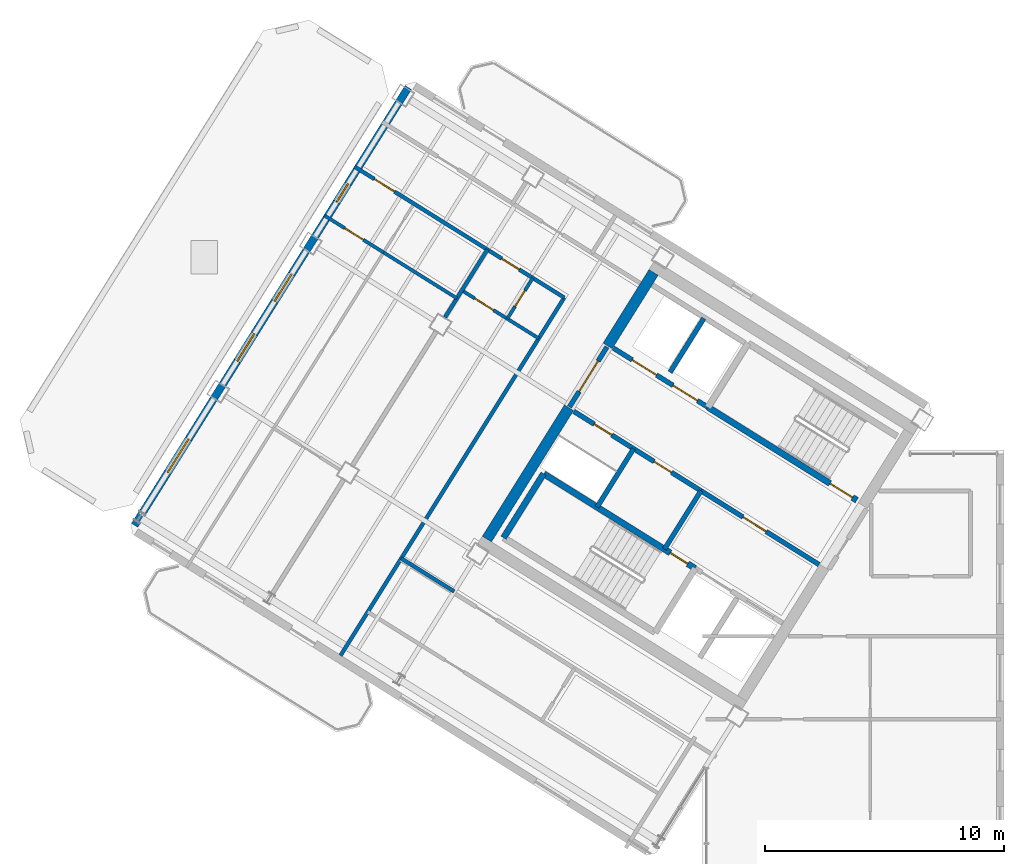
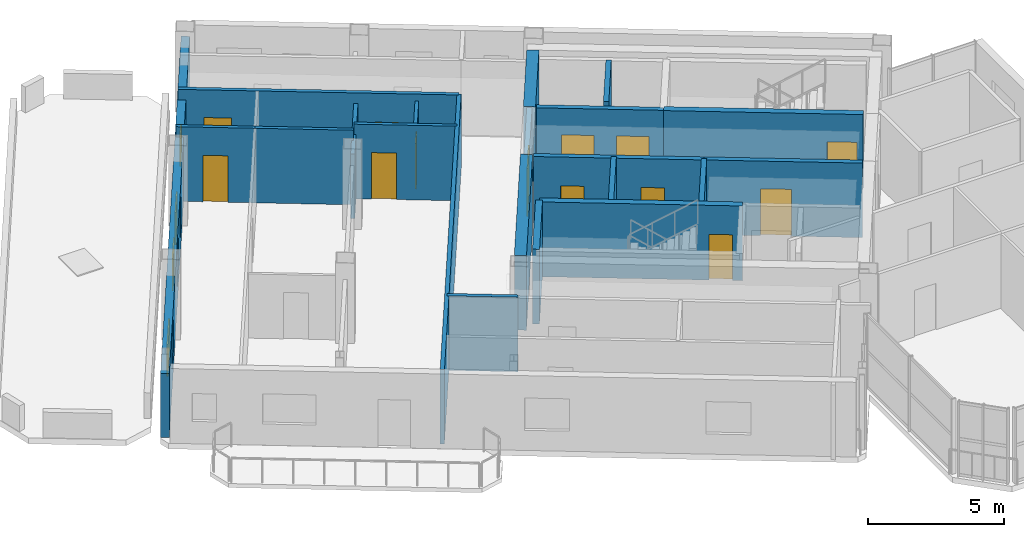
# One storey, part 8 of 12: 21 walls, 13 doors, 4 windows, 17 openings.
"""IFC4 building model written with IfcOpenShell, lengths in metres."""

from ifc_helpers import new_model, si_unit, direction, frame, frame_2d, origin, place, context, subcontext, project, spatial, rectangle, extrude, source, transform, mapped, material, layer, layer_set, type_object, element, fill, save


model = new_model("IFC4")

# Units and contexts
model_context = context("Model", 3, precision=1e-05, world=origin(), true_north=direction((0.0, 1.0)))
body_context = subcontext(model_context, "Body", "Model", "MODEL_VIEW")
ifc_project = project(units=[si_unit("LENGTHUNIT", "METRE"), si_unit("AREAUNIT", "SQUARE_METRE"), si_unit("VOLUMEUNIT", "CUBIC_METRE"), si_unit("PLANEANGLEUNIT", "RADIAN"), si_unit("MASSUNIT", "GRAM", prefix="KILO")], contexts=[model_context])

# Site, building, storey
site_placement = place(None, origin())
site = spatial("IfcSite", under=ifc_project, at=site_placement, CompositionType="ELEMENT")
building_placement = place(site_placement, origin())
building = spatial("IfcBuilding", under=site, at=building_placement, Name="Tlacorven Tower", CompositionType="ELEMENT")
storey_placement = place(building_placement, frame((0.0, 0.0, 280.800048828125)))
storey = spatial("IfcBuildingStorey", under=building, at=storey_placement, Name="L71", CompositionType="ELEMENT", Elevation=280.800048828125)

# Walls
ifc_material_1 = material(Name="Concrete C50/60", Category="concrete")
ifc_layer_1 = layer(ifc_material_1, 0.449951171875)
ifc_layer_set_1 = layer_set([ifc_layer_1], Name="Concrete C50/60")
wall_type_1 = type_object("IfcWallType", Name="WL-COR-450", PredefinedType="SHEAR", material=ifc_layer_set_1)
wall_1_placement = place(storey_placement, frame((29.543701171875, 30.636474609375, 0.0), z_axis=(0.0, 0.0, 1.0), x_axis=(-0.529902075036, -0.848058836916, 0.0)))
element("IfcWall", 1, at=wall_1_placement, inside=storey, type_object=wall_type_1, Name="L71 W core end wall E2.1", PredefinedType="SHEAR", context=body_context, shape_type="SweptSolid", body=[
    extrude(rectangle(XDim=3.625, YDim=0.449951171875, at=frame_2d((1.8125, 0.0))), origin(), (0.0, 0.0, 1.0), 3.349853515625),
])
wall_2_placement = place(storey_placement, frame((26.006591796875, 24.975830078125, 0.0), z_axis=(0.0, 0.0, 1.0), x_axis=(-0.529931155655, -0.848040665456, 0.0)))
element("IfcWall", 2, at=wall_2_placement, inside=storey, type_object=wall_type_1, Name="L71 W core end wall E2.2", PredefinedType="SHEAR", context=body_context, shape_type="SweptSolid", body=[
    extrude(rectangle(XDim=6.47509765625, YDim=0.449951171875, at=frame_2d((3.237548828125, 0.0))), origin(), (0.0, 0.0, 1.0), 3.349853515625),
])
ifc_material_2 = material(Name="Gypsum plasterboard acoustic partition", Category="gypsum")
ifc_layer_2 = layer(ifc_material_2, 0.159912109375)
ifc_layer_set_2 = layer_set([ifc_layer_2], Name="Gypsum plasterboard acoustic partition")
wall_type_2 = type_object("IfcWallType", Name="WL-DEM-160", PredefinedType="PARTITIONING", material=ifc_layer_set_2)
wall_3_placement = place(storey_placement, frame((21.20556640625, 17.29248046875, 0.0), z_axis=(0.0, 0.0, 1.0), x_axis=(-0.848050851465, 0.529914854792, 0.0)))
element("IfcWall", 3, at=wall_3_placement, inside=storey, type_object=wall_type_2, Name="L71 partition 20", PredefinedType="PARTITIONING", context=body_context, shape_type="SweptSolid", body=[
    extrude(rectangle(XDim=2.60986328125, YDim=0.159912109375, at=frame_2d((1.304931640625, 0.0))), origin(), (0.0, 0.0, 1.0), 3.33984375),
])
wall_4_placement = place(storey_placement, frame((25.806884765625, 29.58154296875, 0.0), z_axis=(0.0, 0.0, 1.0), x_axis=(-0.529918119251, -0.84804881162, 0.0)))
element("IfcWall", 4, at=wall_4_placement, inside=storey, type_object=wall_type_2, Name="L71 partition 22", PredefinedType="PARTITIONING", context=body_context, shape_type="SweptSolid", body=[
    extrude(rectangle(XDim=17.64990234375, YDim=0.159912109375, at=frame_2d((8.824951171875, 0.0))), origin(), (0.0, 0.0, 1.0), 3.33984375),
])

# Wall, openings, doors
wall_5_placement = place(storey_placement, frame((25.806884765625, 29.58154296875, 0.0), z_axis=(0.0, 0.0, 1.0), x_axis=(-0.848060702647, 0.529899089097, 0.0)))
wall_5 = element("IfcWall", 5, at=wall_5_placement, inside=storey, type_object=wall_type_2, Name="L71 Wing W Corridor North Wall", PredefinedType="PARTITIONING", context=body_context, shape_type="SweptSolid", body=[
    extrude(rectangle(XDim=10.330078125, YDim=0.159912109375, at=frame_2d((5.1650390625, 0.0))), origin(), (0.0, 0.0, 1.0), 3.33984375),
])
opening_1_placement = place(wall_5_placement, frame((2.219970703125, 0.0, 0.0)))
opening_1 = element("IfcOpeningElement", 6, at=opening_1_placement, cuts=wall_5, Name="Opening D19", PredefinedType="OPENING", context=body_context, shape_type="SweptSolid", body=[
    extrude(rectangle(XDim=0.860107421875, YDim=2.050048828125, at=frame_2d((0.43017578125, 1.02490234375))), frame((0.0, 0.08984375, 0.0), z_axis=(0.0, -1.0, 0.0), x_axis=(1.0, 0.0, 0.0)), (0.0, 0.0, 1.0), 0.179931640625),
])
opening_2_placement = place(wall_5_placement, frame((8.360107421875, 0.0, 0.0)))
opening_2 = element("IfcOpeningElement", 7, at=opening_2_placement, cuts=wall_5, Name="Opening D11", PredefinedType="OPENING", context=body_context, shape_type="SweptSolid", body=[
    extrude(rectangle(XDim=1.0, YDim=2.10009765625, at=frame_2d((0.5, 1.050048828125))), frame((0.0, 0.08984375, 0.0), z_axis=(0.0, -1.0, 0.0), x_axis=(1.0, 0.0, 0.0)), (0.0, 0.0, 1.0), 0.179931640625),
])
ifc_material_3 = material(Name="Fire-rated steel door assembly", Category="steel")
door_type_1 = type_object("IfcDoorType", Name="DR-RSR-FD60-0860", OperationType="NOTDEFINED", PredefinedType="DOOR", material=ifc_material_3)
shared_shape_1 = source(origin(), body_context, "Body", "SweptSolid", [
    extrude(rectangle(XDim=0.860107421875, YDim=2.050048828125, at=frame_2d((0.43017578125, 1.02490234375))), frame((0.0, 0.02490234375, 0.0), z_axis=(0.0, -1.0, 0.0), x_axis=(1.0, 0.0, 0.0)), (0.0, 0.0, 1.0), 0.050048828125),
])
door_1_placement = place(opening_1_placement, origin())
door_1 = element("IfcDoor", 8, at=door_1_placement, inside=storey, type_object=door_type_1, Name="L71 door 011", OperationType="SINGLE_SWING_RIGHT", OverallHeight=2.050048828125, OverallWidth=0.860107421875, PredefinedType="DOOR", context=body_context, shape_type="MappedRepresentation", body=[
    mapped(shared_shape_1, transform((0.0, 0.0, 0.0), scale=1.0)),
])
fill(opening_1, door_1)
door_type_2 = type_object("IfcDoorType", Name="DR-FLT-FD60-1000", OperationType="NOTDEFINED", PredefinedType="DOOR", material=ifc_material_3)
shared_shape_2 = source(origin(), body_context, "Body", "SweptSolid", [
    extrude(rectangle(XDim=1.0, YDim=2.10009765625, at=frame_2d((0.5, 1.050048828125))), frame((0.0, 0.02490234375, 0.0), z_axis=(0.0, -1.0, 0.0), x_axis=(1.0, 0.0, 0.0)), (0.0, 0.0, 1.0), 0.050048828125),
])
door_2_placement = place(opening_2_placement, origin())
door_2 = element("IfcDoor", 9, at=door_2_placement, inside=storey, type_object=door_type_2, Name="L71 door 015", OperationType="SINGLE_SWING_RIGHT", OverallHeight=2.10009765625, OverallWidth=1.0, PredefinedType="DOOR", context=body_context, shape_type="MappedRepresentation", body=[
    mapped(shared_shape_2, transform((0.0, 0.0, 0.0), scale=1.0)),
])
fill(opening_2, door_2)

# Wall
wall_6_placement = place(storey_placement, frame((22.5927734375, 31.58984375, 0.0), z_axis=(0.0, 0.0, 1.0), x_axis=(-0.529900320499, -0.848059933221, 0.0)))
element("IfcWall", 10, at=wall_6_placement, inside=storey, type_object=wall_type_2, Name="L71 WN Demising Wall 1", PredefinedType="PARTITIONING", context=body_context, shape_type="SweptSolid", body=[
    extrude(rectangle(XDim=3.337890625, YDim=0.159912109375, at=frame_2d((1.6689453125, 0.0))), origin(), (0.0, 0.0, 1.0), 2.875),
])

# Wall, openings, windows
ifc_material_4 = material(Name="Precast concrete C45/55", Category="concrete")
ifc_layer_3 = layer(ifc_material_4, 0.320068359375)
ifc_layer_set_3 = layer_set([ifc_layer_3], Name="Precast concrete C45/55")
wall_type_3 = type_object("IfcWallType", Name="WL-EXT-320", PredefinedType="STANDARD", material=ifc_layer_set_3)
wall_7_placement = place(storey_placement, frame((7.842041015625, 20.06103515625, 0.0), z_axis=(0.0, 0.0, 1.0), x_axis=(0.529915577903, 0.84805039962, 0.0)))
wall_7 = element("IfcWall", 11, at=wall_7_placement, inside=storey, type_object=wall_type_3, Name="L71 Masonry-Frame Recessed Facade Wall 3", PredefinedType="STANDARD", context=body_context, shape_type="SweptSolid", body=[
    extrude(rectangle(XDim=21.58740234375, YDim=0.320068359375, at=frame_2d((10.793701171875, 0.0))), origin(), (0.0, 0.0, 1.0), 2.875),
])
opening_3_placement = place(wall_7_placement, frame((2.606201171875, 0.0, 0.89990234375)))
opening_3 = element("IfcOpeningElement", 12, at=opening_3_placement, cuts=wall_7, Name="Opening WN07", PredefinedType="OPENING", context=body_context, shape_type="SweptSolid", body=[
    extrude(rectangle(XDim=1.64990234375, YDim=1.449951171875, at=frame_2d((0.824951171875, 0.72509765625))), frame((0.0, 0.169921875, 0.0), z_axis=(0.0, -1.0, 0.0), x_axis=(1.0, 0.0, 0.0)), (0.0, 0.0, 1.0), 0.340087890625),
])
opening_4_placement = place(wall_7_placement, frame((8.09375, 0.0, 0.89990234375)))
opening_4 = element("IfcOpeningElement", 13, at=opening_4_placement, cuts=wall_7, Name="Opening WN08", PredefinedType="OPENING", context=body_context, shape_type="SweptSolid", body=[
    extrude(rectangle(XDim=1.35009765625, YDim=1.449951171875, at=frame_2d((0.675048828125, 0.72509765625))), frame((0.0, 0.169921875, 0.0), z_axis=(0.0, -1.0, 0.0), x_axis=(1.0, 0.0, 0.0)), (0.0, 0.0, 1.0), 0.340087890625),
])
opening_5_placement = place(wall_7_placement, frame((11.043701171875, 0.0, 0.89990234375)))
opening_5 = element("IfcOpeningElement", 14, at=opening_5_placement, cuts=wall_7, Name="Opening WN08", PredefinedType="OPENING", context=body_context, shape_type="SweptSolid", body=[
    extrude(rectangle(XDim=1.35009765625, YDim=1.449951171875, at=frame_2d((0.675048828125, 0.72509765625))), frame((0.0, 0.169921875, 0.0), z_axis=(0.0, -1.0, 0.0), x_axis=(1.0, 0.0, 0.0)), (0.0, 0.0, 1.0), 0.340087890625),
])
opening_6_placement = place(wall_7_placement, frame((15.938720703125, 0.0, 1.0)))
opening_6 = element("IfcOpeningElement", 15, at=opening_6_placement, cuts=wall_7, Name="Opening WN05", PredefinedType="OPENING", context=body_context, shape_type="SweptSolid", body=[
    extrude(rectangle(XDim=0.89990234375, YDim=1.25, at=frame_2d((0.449951171875, 0.625))), frame((0.0, 0.169921875, 0.0), z_axis=(0.0, -1.0, 0.0), x_axis=(1.0, 0.0, 0.0)), (0.0, 0.0, 1.0), 0.340087890625),
])
ifc_material_5 = material(Name="Dark solar low-E double glazing in anodised aluminium frame", Category="aluminium")
window_type_1 = type_object("IfcWindowType", Name="WN-APT-0900X1350", PartitioningType="SINGLE_PANEL", PredefinedType="WINDOW", material=ifc_material_5)
shared_shape_3 = source(origin(), body_context, "Body", "SweptSolid", [
    extrude(rectangle(XDim=0.89990234375, YDim=1.25, at=frame_2d((0.449951171875, 0.625))), frame((0.0, 0.030029296875, 0.0), z_axis=(0.0, -1.0, 0.0), x_axis=(1.0, 0.0, 0.0)), (0.0, 0.0, 1.0), 0.06005859375),
])
window_1_placement = place(opening_6_placement, origin())
window_1 = element("IfcWindow", 16, at=window_1_placement, inside=storey, type_object=window_type_1, Name="L71 Recessed Masonry-Frame Window L71-03.4", OverallHeight=1.25, OverallWidth=0.89990234375, PartitioningType="SINGLE_PANEL", PredefinedType="WINDOW", context=body_context, shape_type="MappedRepresentation", body=[
    mapped(shared_shape_3, transform((0.0, 0.0, 0.0), scale=1.0)),
])
fill(opening_6, window_1)
window_type_2 = type_object("IfcWindowType", Name="WN-APT-1650X1600", PartitioningType="SINGLE_PANEL", PredefinedType="WINDOW", material=ifc_material_5)
shared_shape_4 = source(origin(), body_context, "Body", "SweptSolid", [
    extrude(rectangle(XDim=1.64990234375, YDim=1.449951171875, at=frame_2d((0.824951171875, 0.72509765625))), frame((0.0, 0.030029296875, 0.0), z_axis=(0.0, -1.0, 0.0), x_axis=(1.0, 0.0, 0.0)), (0.0, 0.0, 1.0), 0.06005859375),
])
window_2_placement = place(opening_3_placement, origin())
window_2 = element("IfcWindow", 17, at=window_2_placement, inside=storey, type_object=window_type_2, Name="L71 Recessed Masonry-Frame Window L71-03.1", OverallHeight=1.449951171875, OverallWidth=1.64990234375, PartitioningType="SINGLE_PANEL", PredefinedType="WINDOW", context=body_context, shape_type="MappedRepresentation", body=[
    mapped(shared_shape_4, transform((0.0, 0.0, 0.0), scale=1.0)),
])
fill(opening_3, window_2)
window_type_3 = type_object("IfcWindowType", Name="WN-APT-1350X1550", PartitioningType="SINGLE_PANEL", PredefinedType="WINDOW", material=ifc_material_5)
shared_shape_5 = source(origin(), body_context, "Body", "SweptSolid", [
    extrude(rectangle(XDim=1.35009765625, YDim=1.449951171875, at=frame_2d((0.675048828125, 0.72509765625))), frame((0.0, 0.030029296875, 0.0), z_axis=(0.0, -1.0, 0.0), x_axis=(1.0, 0.0, 0.0)), (0.0, 0.0, 1.0), 0.06005859375),
])
window_3_placement = place(opening_4_placement, origin())
window_3 = element("IfcWindow", 18, at=window_3_placement, inside=storey, type_object=window_type_3, Name="L71 Recessed Masonry-Frame Window L71-03.2", OverallHeight=1.449951171875, OverallWidth=1.35009765625, PartitioningType="SINGLE_PANEL", PredefinedType="WINDOW", context=body_context, shape_type="MappedRepresentation", body=[
    mapped(shared_shape_5, transform((0.0, 0.0, 0.0), scale=1.0)),
])
fill(opening_4, window_3)
window_4_placement = place(opening_5_placement, origin())
window_4 = element("IfcWindow", 19, at=window_4_placement, inside=storey, type_object=window_type_3, Name="L71 Recessed Masonry-Frame Window L71-03.3", OverallHeight=1.449951171875, OverallWidth=1.35009765625, PartitioningType="SINGLE_PANEL", PredefinedType="WINDOW", context=body_context, shape_type="MappedRepresentation", body=[
    mapped(shared_shape_5, transform((0.0, 0.0, 0.0), scale=1.0)),
])
fill(opening_5, window_4)

# Wall, opening, door
ifc_material_6 = material(Name="Moisture-resistant gypsum plumbing wall", Category="gypsum")
ifc_layer_4 = layer(ifc_material_6, 0.139892578125)
ifc_layer_set_4 = layer_set([ifc_layer_4], Name="Moisture-resistant gypsum plumbing wall")
wall_type_4 = type_object("IfcWallType", Name="WL-PLM-140", PredefinedType="PLUMBINGWALL", material=ifc_layer_set_4)
wall_8_placement = place(storey_placement, frame((24.74169921875, 27.876953125, 0.0), z_axis=(0.0, 0.0, 1.0), x_axis=(-0.848059820872, 0.529900500304, 0.0)))
wall_8 = element("IfcWall", 20, at=wall_8_placement, inside=storey, type_object=wall_type_4, Name="L71 partition 26", PredefinedType="PLUMBINGWALL", context=body_context, shape_type="SweptSolid", body=[
    extrude(rectangle(XDim=3.7900390625, YDim=0.139892578125, at=frame_2d((1.89501953125, 0.0))), origin(), (0.0, 0.0, 1.0), 3.33984375),
])
opening_7_placement = place(wall_8_placement, frame((2.22998046875, 0.0, 0.0)))
opening_7 = element("IfcOpeningElement", 21, at=opening_7_placement, cuts=wall_8, Name="Opening D12", PredefinedType="OPENING", context=body_context, shape_type="SweptSolid", body=[
    extrude(rectangle(XDim=0.919921875, YDim=2.080078125, at=frame_2d((0.4599609375, 1.0400390625))), frame((0.0, 0.080078125, 0.0), z_axis=(0.0, -1.0, 0.0), x_axis=(1.0, 0.0, 0.0)), (0.0, 0.0, 1.0), 0.159912109375),
])
ifc_material_7 = material(Name="Powder-coated aluminium and timber door", Category="wood")
door_type_3 = type_object("IfcDoorType", Name="DR-INT-ROOM-0920", OperationType="NOTDEFINED", PredefinedType="DOOR", material=ifc_material_7)
shared_shape_6 = source(origin(), body_context, "Body", "SweptSolid", [
    extrude(rectangle(XDim=0.919921875, YDim=2.080078125, at=frame_2d((0.4599609375, 1.0400390625))), frame((0.0, 0.02490234375, 0.0), z_axis=(0.0, -1.0, 0.0), x_axis=(1.0, 0.0, 0.0)), (0.0, 0.0, 1.0), 0.050048828125),
])
door_3_placement = place(opening_7_placement, origin())
door_3 = element("IfcDoor", 22, at=door_3_placement, inside=storey, type_object=door_type_3, Name="L71 door 012", OperationType="SINGLE_SWING_LEFT", OverallHeight=2.080078125, OverallWidth=0.919921875, PredefinedType="DOOR", context=body_context, shape_type="MappedRepresentation", body=[
    mapped(shared_shape_6, transform((0.0, 0.0, 0.0), scale=1.0)),
])
fill(opening_7, door_3)

wall_9_placement = place(storey_placement, frame((24.492431640625, 30.40283203125, 0.0), z_axis=(0.0, 0.0, 1.0), x_axis=(-0.529933431478, -0.848039243315, 0.0)))
wall_9 = element("IfcWall", 23, at=wall_9_placement, inside=storey, type_object=wall_type_4, Name="L71 partition 27", PredefinedType="PLUMBINGWALL", context=body_context, shape_type="SweptSolid", body=[
    extrude(rectangle(XDim=2.010009765625, YDim=0.139892578125, at=frame_2d((1.0048828125, 0.0))), origin(), (0.0, 0.0, 1.0), 3.02490234375),
])
opening_8_placement = place(wall_9_placement, frame((0.614990234375, 0.0, 0.0)))
opening_8 = element("IfcOpeningElement", 24, at=opening_8_placement, cuts=wall_9, Name="Opening D22", PredefinedType="OPENING", context=body_context, shape_type="SweptSolid", body=[
    extrude(rectangle(XDim=0.780029296875, YDim=2.050048828125, at=frame_2d((0.39013671875, 1.02490234375))), frame((0.0, 0.080078125, 0.0), z_axis=(0.0, -1.0, 0.0), x_axis=(1.0, 0.0, 0.0)), (0.0, 0.0, 1.0), 0.159912109375),
])
door_type_4 = type_object("IfcDoorType", Name="DR-INT-WET-0780", OperationType="NOTDEFINED", PredefinedType="DOOR", material=ifc_material_7)
shared_shape_7 = source(origin(), body_context, "Body", "SweptSolid", [
    extrude(rectangle(XDim=0.780029296875, YDim=2.050048828125, at=frame_2d((0.39013671875, 1.02490234375))), frame((0.0, 0.02490234375, 0.0), z_axis=(0.0, -1.0, 0.0), x_axis=(1.0, 0.0, 0.0)), (0.0, 0.0, 1.0), 0.050048828125),
])
door_4_placement = place(opening_8_placement, origin())
door_4 = element("IfcDoor", 25, at=door_4_placement, inside=storey, type_object=door_type_4, Name="L71 door 013", OperationType="SINGLE_SWING_RIGHT", OverallHeight=2.050048828125, OverallWidth=0.780029296875, PredefinedType="DOOR", context=body_context, shape_type="MappedRepresentation", body=[
    mapped(shared_shape_7, transform((0.0, 0.0, 0.0), scale=1.0)),
])
fill(opening_8, door_4)

wall_10_placement = place(storey_placement, frame((18.2509765625, 31.472900390625, 0.0), z_axis=(0.0, 0.0, 1.0), x_axis=(-0.848059786386, 0.529900555496, 0.0)))
wall_10 = element("IfcWall", 26, at=wall_10_placement, inside=storey, type_object=wall_type_4, Name="L71 partition 30", PredefinedType="PLUMBINGWALL", context=body_context, shape_type="SweptSolid", body=[
    extrude(rectangle(XDim=2.89990234375, YDim=0.139892578125, at=frame_2d((1.449951171875, 0.0))), origin(), (0.0, 0.0, 1.0), 3.33984375),
])
opening_9_placement = place(wall_10_placement, frame((0.989990234375, 0.0, 0.0)))
opening_9 = element("IfcOpeningElement", 27, at=opening_9_placement, cuts=wall_10, Name="Opening D12", PredefinedType="OPENING", context=body_context, shape_type="SweptSolid", body=[
    extrude(rectangle(XDim=0.919921875, YDim=2.080078125, at=frame_2d((0.4599609375, 1.0400390625))), frame((0.0, 0.080078125, 0.0), z_axis=(0.0, -1.0, 0.0), x_axis=(1.0, 0.0, 0.0)), (0.0, 0.0, 1.0), 0.159912109375),
])
door_5_placement = place(opening_9_placement, origin())
door_5 = element("IfcDoor", 28, at=door_5_placement, inside=storey, type_object=door_type_3, Name="L71 door 016", OperationType="SINGLE_SWING_LEFT", OverallHeight=2.080078125, OverallWidth=0.919921875, PredefinedType="DOOR", context=body_context, shape_type="MappedRepresentation", body=[
    mapped(shared_shape_6, transform((0.0, 0.0, 0.0), scale=1.0)),
])
fill(opening_9, door_5)

# Wall
wall_11_placement = place(storey_placement, frame((21.32080078125, 29.554443359375, 0.0), z_axis=(0.0, 0.0, 1.0), x_axis=(-0.848021036626, 0.529962566074, 0.0)))
element("IfcWall", 29, at=wall_11_placement, inside=storey, type_object=wall_type_4, Name="L71 partition 31", PredefinedType="PLUMBINGWALL", context=body_context, shape_type="SweptSolid", body=[
    extrude(rectangle(XDim=3.619873046875, YDim=0.139892578125, at=frame_2d((1.81005859375, 0.0))), origin(), (0.0, 0.0, 1.0), 3.33984375),
])

# Wall, opening, door
ifc_material_8 = material(Name="Concrete C40/50", Category="concrete")
ifc_layer_5 = layer(ifc_material_8, 0.199951171875)
ifc_layer_set_5 = layer_set([ifc_layer_5], Name="Concrete C40/50")
wall_type_5 = type_object("IfcWallType", Name="WL-SHF-200", PredefinedType="STANDARD", material=ifc_layer_set_5)
wall_12_placement = place(storey_placement, frame((36.459228515625, 18.420654296875, 0.0), z_axis=(0.0, 0.0, 1.0), x_axis=(-0.848059591691, 0.529900867089, 0.0)))
wall_12 = element("IfcWall", 30, at=wall_12_placement, inside=storey, type_object=wall_type_5, Name="L71 Core W Smoke Lobby Wall", PredefinedType="STANDARD", context=body_context, shape_type="SweptSolid", body=[
    extrude(rectangle(XDim=5.818115234375, YDim=0.199951171875, at=frame_2d((2.9091796875, 0.0))), origin(), (0.0, 0.0, 1.0), 3.33984375),
])
opening_10_placement = place(wall_12_placement, frame((2.597900390625, 0.0, 0.0)))
opening_10 = element("IfcOpeningElement", 31, at=opening_10_placement, cuts=wall_12, Name="Opening D09", PredefinedType="OPENING", context=body_context, shape_type="SweptSolid", body=[
    extrude(rectangle(XDim=1.14990234375, YDim=2.10009765625, at=frame_2d((0.574951171875, 1.050048828125))), frame((0.0, 0.10986328125, 0.0), z_axis=(0.0, -1.0, 0.0), x_axis=(1.0, 0.0, 0.0)), (0.0, 0.0, 1.0), 0.219970703125),
])
door_type_5 = type_object("IfcDoorType", Name="DR-FFL-FD60-1150", OperationType="NOTDEFINED", PredefinedType="DOOR", material=ifc_material_3)
shared_shape_8 = source(origin(), body_context, "Body", "SweptSolid", [
    extrude(rectangle(XDim=1.14990234375, YDim=2.10009765625, at=frame_2d((0.574951171875, 1.050048828125))), frame((0.0, 0.02490234375, 0.0), z_axis=(0.0, -1.0, 0.0), x_axis=(1.0, 0.0, 0.0)), (0.0, 0.0, 1.0), 0.050048828125),
])
door_6_placement = place(opening_10_placement, origin())
door_6 = element("IfcDoor", 32, at=door_6_placement, inside=storey, type_object=door_type_5, Name="L71 Firefighting Lobby W Fire Door", OperationType="SINGLE_SWING_LEFT", OverallHeight=2.10009765625, OverallWidth=1.14990234375, PredefinedType="DOOR", context=body_context, shape_type="MappedRepresentation", body=[
    mapped(shared_shape_8, transform((0.0, 0.0, 0.0), scale=1.0)),
])
fill(opening_10, door_6)

# Wall, openings, doors
wall_13_placement = place(storey_placement, frame((31.82177734375, 24.99755859375, 0.0), z_axis=(0.0, 0.0, 1.0), x_axis=(-0.848054125777, 0.529909614701, 0.0)))
wall_13 = element("IfcWall", 33, at=wall_13_placement, inside=storey, type_object=wall_type_5, Name="L71 Core W South Lift Shaft Wall", PredefinedType="STANDARD", context=body_context, shape_type="SweptSolid", body=[
    extrude(rectangle(XDim=4.66796875, YDim=0.199951171875, at=frame_2d((2.333984375, 0.0))), origin(), (0.0, 0.0, 1.0), 3.33984375),
])
opening_11_placement = place(wall_13_placement, frame((0.52001953125, 0.0, 0.0)))
opening_11 = element("IfcOpeningElement", 34, at=opening_11_placement, cuts=wall_13, Name="Opening LD02", PredefinedType="OPENING", context=body_context, shape_type="SweptSolid", body=[
    extrude(rectangle(XDim=1.199951171875, YDim=2.14990234375, at=frame_2d((0.60009765625, 1.074951171875))), frame((0.0, 0.10986328125, 0.0), z_axis=(0.0, -1.0, 0.0), x_axis=(1.0, 0.0, 0.0)), (0.0, 0.0, 1.0), 0.219970703125),
])
opening_12_placement = place(wall_13_placement, frame((2.5400390625, 0.0, 0.0)))
opening_12 = element("IfcOpeningElement", 35, at=opening_12_placement, cuts=wall_13, Name="Opening LD02", PredefinedType="OPENING", context=body_context, shape_type="SweptSolid", body=[
    extrude(rectangle(XDim=1.199951171875, YDim=2.14990234375, at=frame_2d((0.60009765625, 1.074951171875))), frame((0.0, 0.10986328125, 0.0), z_axis=(0.0, -1.0, 0.0), x_axis=(1.0, 0.0, 0.0)), (0.0, 0.0, 1.0), 0.219970703125),
])
door_type_6 = type_object("IfcDoorType", Name="DR-LFT-SLID-1200", OperationType="DOUBLE_DOOR_SLIDING", PredefinedType="DOOR", material=ifc_material_3)
shared_shape_9 = source(origin(), body_context, "Body", "SweptSolid", [
    extrude(rectangle(XDim=1.199951171875, YDim=2.14990234375, at=frame_2d((0.60009765625, 1.074951171875))), frame((0.0, 0.02490234375, 0.0), z_axis=(0.0, -1.0, 0.0), x_axis=(1.0, 0.0, 0.0)), (0.0, 0.0, 1.0), 0.050048828125),
])
door_7_placement = place(opening_11_placement, origin())
door_7 = element("IfcDoor", 36, at=door_7_placement, inside=storey, type_object=door_type_6, Name="L71 Lift PL-H1 Sliding Landing Door", OperationType="DOUBLE_DOOR_SLIDING", OverallHeight=2.14990234375, OverallWidth=1.199951171875, PredefinedType="DOOR", context=body_context, shape_type="MappedRepresentation", body=[
    mapped(shared_shape_9, transform((0.0, 0.0, 0.0), scale=1.0)),
])
fill(opening_11, door_7)
door_8_placement = place(opening_12_placement, origin())
door_8 = element("IfcDoor", 37, at=door_8_placement, inside=storey, type_object=door_type_6, Name="L71 Lift PL-H2 Sliding Landing Door", OperationType="DOUBLE_DOOR_SLIDING", OverallHeight=2.14990234375, OverallWidth=1.199951171875, PredefinedType="DOOR", context=body_context, shape_type="MappedRepresentation", body=[
    mapped(shared_shape_9, transform((0.0, 0.0, 0.0), scale=1.0)),
])
fill(opening_12, door_8)

# Walls
wall_14_placement = place(storey_placement, frame((31.645263671875, 28.716064453125, 0.0), z_axis=(0.0, 0.0, 1.0), x_axis=(-0.52986693015, -0.848080795876, 0.0)))
element("IfcWall", 38, at=wall_14_placement, inside=storey, type_object=wall_type_5, Name="L71 partition 12", PredefinedType="STANDARD", context=body_context, shape_type="SweptSolid", body=[
    extrude(rectangle(XDim=2.659912109375, YDim=0.199951171875, at=frame_2d((1.330078125, 0.0))), origin(), (0.0, 0.0, 1.0), 3.33984375),
])
for number, where, z_axis, x_axis, name in (
    (39, (31.525146484375, 21.503662109375, 0.0), (0.0, 0.0, 1.0), (-0.529907497854, -0.848055448493, 0.0), "L71 partition 15"),
    (40, (28.709716796875, 23.26318359375, 0.0), (0.0, 0.0, 1.0), (-0.529907497854, -0.848055448493, 0.0), "L71 partition 16"),
):
    element("IfcWall", number, at=place(storey_placement, frame(where, z_axis=z_axis, x_axis=x_axis)), inside=storey, type_object=wall_type_5, Name=name, PredefinedType="STANDARD", context=body_context, shape_type="SweptSolid", body=[
        extrude(rectangle(XDim=2.8798828125, YDim=0.199951171875, at=frame_2d((1.43994140625, 0.0))), origin(), (0.0, 0.0, 1.0), 3.33984375),
    ])

# Wall, openings, doors
wall_15_placement = place(storey_placement, frame((31.525146484375, 21.503662109375, 0.0), z_axis=(0.0, 0.0, 1.0), x_axis=(-0.848042066329, 0.529928913853, 0.0)))
wall_15 = element("IfcWall", 41, at=wall_15_placement, inside=storey, type_object=wall_type_5, Name="L71 Core W North Service Wall", PredefinedType="STANDARD", context=body_context, shape_type="SweptSolid", body=[
    extrude(rectangle(XDim=6.267822265625, YDim=0.199951171875, at=frame_2d((3.1337890625, 0.0))), origin(), (0.0, 0.0, 1.0), 3.33984375),
])
opening_13_placement = place(wall_15_placement, frame((4.39990234375, 0.0, 0.0)))
opening_13 = element("IfcOpeningElement", 42, at=opening_13_placement, cuts=wall_15, Name="Opening D19", PredefinedType="OPENING", context=body_context, shape_type="SweptSolid", body=[
    extrude(rectangle(XDim=0.860107421875, YDim=2.050048828125, at=frame_2d((0.43017578125, 1.02490234375))), frame((0.0, 0.10986328125, 0.0), z_axis=(0.0, -1.0, 0.0), x_axis=(1.0, 0.0, 0.0)), (0.0, 0.0, 1.0), 0.219970703125),
])
opening_14_placement = place(wall_15_placement, frame((1.449951171875, 0.0, 0.0)))
opening_14 = element("IfcOpeningElement", 43, at=opening_14_placement, cuts=wall_15, Name="Opening D19", PredefinedType="OPENING", context=body_context, shape_type="SweptSolid", body=[
    extrude(rectangle(XDim=0.860107421875, YDim=2.050048828125, at=frame_2d((0.43017578125, 1.02490234375))), frame((0.0, 0.10986328125, 0.0), z_axis=(0.0, -1.0, 0.0), x_axis=(1.0, 0.0, 0.0)), (0.0, 0.0, 1.0), 0.219970703125),
])
door_9_placement = place(opening_13_placement, frame((0.860107421875, 0.0, 0.0), z_axis=(0.0, 0.0, 1.0), x_axis=(-1.0, 0.0, 0.0)))
door_9 = element("IfcDoor", 44, at=door_9_placement, inside=storey, type_object=door_type_1, Name="L71 Electrical Riser Access Door W", OperationType="SINGLE_SWING_RIGHT", OverallHeight=2.050048828125, OverallWidth=0.860107421875, PredefinedType="DOOR", context=body_context, shape_type="MappedRepresentation", body=[
    mapped(shared_shape_1, transform((0.0, 0.0, 0.0), scale=1.0)),
])
fill(opening_13, door_9)
door_10_placement = place(opening_14_placement, frame((0.860107421875, 0.0, 0.0), z_axis=(0.0, 0.0, 1.0), x_axis=(-1.0, 0.0, 0.0)))
door_10 = element("IfcDoor", 45, at=door_10_placement, inside=storey, type_object=door_type_1, Name="L71 Housekeeping Linen Access Door W", OperationType="SINGLE_SWING_LEFT", OverallHeight=2.050048828125, OverallWidth=0.860107421875, PredefinedType="DOOR", context=body_context, shape_type="MappedRepresentation", body=[
    mapped(shared_shape_1, transform((0.0, 0.0, 0.0), scale=1.0)),
])
fill(opening_14, door_10)

# Wall, opening, door
wall_16_placement = place(storey_placement, frame((27.59619140625, 27.52001953125, 0.0), z_axis=(0.0, 0.0, 1.0), x_axis=(-0.529865479138, -0.848081702443, 0.0)))
wall_16 = element("IfcWall", 46, at=wall_16_placement, inside=storey, type_object=wall_type_5, Name="L71 partition 18", PredefinedType="STANDARD", context=body_context, shape_type="SweptSolid", body=[
    extrude(rectangle(XDim=2.9599609375, YDim=0.199951171875, at=frame_2d((1.47998046875, 0.0))), origin(), (0.0, 0.0, 1.0), 3.33984375),
])
opening_15_placement = place(wall_16_placement, frame((0.699951171875, 0.0, 0.0)))
opening_15 = element("IfcOpeningElement", 47, at=opening_15_placement, cuts=wall_16, Name="Opening D10", PredefinedType="OPENING", context=body_context, shape_type="SweptSolid", body=[
    extrude(rectangle(XDim=1.5, YDim=2.14990234375, at=frame_2d((0.75, 1.074951171875))), frame((0.0, 0.10986328125, 0.0), z_axis=(0.0, -1.0, 0.0), x_axis=(1.0, 0.0, 0.0)), (0.0, 0.0, 1.0), 0.219970703125),
])
door_type_7 = type_object("IfcDoorType", Name="DR-LOB-FD60-1500", OperationType="DOUBLE_DOOR_SINGLE_SWING", PredefinedType="DOOR", material=ifc_material_3)
shared_shape_10 = source(origin(), body_context, "Body", "SweptSolid", [
    extrude(rectangle(XDim=1.5, YDim=2.14990234375, at=frame_2d((0.75, 1.074951171875))), frame((0.0, 0.02490234375, 0.0), z_axis=(0.0, -1.0, 0.0), x_axis=(1.0, 0.0, 0.0)), (0.0, 0.0, 1.0), 0.050048828125),
])
door_11_placement = place(opening_15_placement, origin())
door_11 = element("IfcDoor", 48, at=door_11_placement, inside=storey, type_object=door_type_7, Name="L71 door 010", OperationType="DOUBLE_DOOR_SINGLE_SWING", OverallHeight=2.14990234375, OverallWidth=1.5, PredefinedType="DOOR", context=body_context, shape_type="MappedRepresentation", body=[
    mapped(shared_shape_10, transform((0.0, 0.0, 0.0), scale=1.0)),
])
fill(opening_15, door_11)

ifc_layer_6 = layer(ifc_material_1, 0.260009765625)
ifc_layer_set_6 = layer_set([ifc_layer_6], Name="Concrete C50/60")
wall_type_6 = type_object("IfcWallType", Name="WL-STW-260", PredefinedType="SHEAR", material=ifc_layer_set_6)
wall_17_placement = place(storey_placement, frame((31.279541015625, 18.26123046875, 0.0), z_axis=(0.0, 0.0, 1.0), x_axis=(-0.848051618787, 0.529913626805, 0.0)))
wall_17 = element("IfcWall", 49, at=wall_17_placement, inside=storey, type_object=wall_type_6, Name="L71 Stair W1 Lobby Shear Wall", PredefinedType="SHEAR", context=body_context, shape_type="SweptSolid", body=[
    extrude(rectangle(XDim=7.4599609375, YDim=0.260009765625, at=frame_2d((3.72998046875, 0.0))), origin(), (0.0, 0.0, 1.0), 3.349853515625),
])
opening_16_placement = place(wall_17_placement, frame((0.360107421875, 0.0, 0.0)))
opening_16 = element("IfcOpeningElement", 50, at=opening_16_placement, cuts=wall_17, Name="Opening D19", PredefinedType="OPENING", context=body_context, shape_type="SweptSolid", body=[
    extrude(rectangle(XDim=0.860107421875, YDim=2.050048828125, at=frame_2d((0.43017578125, 1.02490234375))), frame((0.0, 0.14013671875, 0.0), z_axis=(0.0, -1.0, 0.0), x_axis=(1.0, 0.0, 0.0)), (0.0, 0.0, 1.0), 0.280029296875),
])
door_12_placement = place(opening_16_placement, frame((0.860107421875, 0.0, 0.0), z_axis=(0.0, 0.0, 1.0), x_axis=(-1.0, 0.0, 0.0)))
door_12 = element("IfcDoor", 51, at=door_12_placement, inside=storey, type_object=door_type_1, Name="L71 Exit Stair W1 Fire Door", OperationType="SINGLE_SWING_LEFT", OverallHeight=2.050048828125, OverallWidth=0.860107421875, PredefinedType="DOOR", context=body_context, shape_type="MappedRepresentation", body=[
    mapped(shared_shape_1, transform((0.0, 0.0, 0.0), scale=1.0)),
])
fill(opening_16, door_12)

# Wall
wall_18_placement = place(storey_placement, frame((24.944580078125, 22.2197265625, 0.0), z_axis=(0.0, 0.0, 1.0), x_axis=(-0.529908658664, -0.84805472316, 0.0)))
element("IfcWall", 52, at=wall_18_placement, inside=storey, type_object=wall_type_6, Name="L71 Stair W1 East Shear Wall", PredefinedType="SHEAR", context=body_context, shape_type="SweptSolid", body=[
    extrude(rectangle(XDim=3.16015625, YDim=0.260009765625, at=frame_2d((1.580078125, 0.0))), origin(), (0.0, 0.0, 1.0), 3.349853515625),
])

# Wall, opening, door
wall_19_placement = place(storey_placement, frame((38.04638671875, 21.10791015625, 0.0), z_axis=(0.0, 0.0, 1.0), x_axis=(-0.848054434086, 0.529909121291, 0.0)))
wall_19 = element("IfcWall", 53, at=wall_19_placement, inside=storey, type_object=wall_type_6, Name="L71 Stair W2 Lobby Shear Wall", PredefinedType="SHEAR", context=body_context, shape_type="SweptSolid", body=[
    extrude(rectangle(XDim=7.330078125, YDim=0.260009765625, at=frame_2d((3.6650390625, 0.0))), origin(), (0.0, 0.0, 1.0), 3.349853515625),
])
opening_17_placement = place(wall_19_placement, frame((0.219970703125, 0.0, 0.0)))
opening_17 = element("IfcOpeningElement", 54, at=opening_17_placement, cuts=wall_19, Name="Opening D07", PredefinedType="OPENING", context=body_context, shape_type="SweptSolid", body=[
    extrude(rectangle(XDim=1.10009765625, YDim=2.10009765625, at=frame_2d((0.550048828125, 1.050048828125))), frame((0.0, 0.14013671875, 0.0), z_axis=(0.0, -1.0, 0.0), x_axis=(1.0, 0.0, 0.0)), (0.0, 0.0, 1.0), 0.280029296875),
])
door_type_8 = type_object("IfcDoorType", Name="DR-STR-FD90-1100", OperationType="NOTDEFINED", PredefinedType="DOOR", material=ifc_material_3)
shared_shape_11 = source(origin(), body_context, "Body", "SweptSolid", [
    extrude(rectangle(XDim=1.10009765625, YDim=2.10009765625, at=frame_2d((0.550048828125, 1.050048828125))), frame((0.0, 0.02490234375, 0.0), z_axis=(0.0, -1.0, 0.0), x_axis=(1.0, 0.0, 0.0)), (0.0, 0.0, 1.0), 0.050048828125),
])
door_13_placement = place(opening_17_placement, origin())
door_13 = element("IfcDoor", 55, at=door_13_placement, inside=storey, type_object=door_type_8, Name="L71 Exit Stair W2 Fire Door", OperationType="SINGLE_SWING_RIGHT", OverallHeight=2.10009765625, OverallWidth=1.10009765625, PredefinedType="DOOR", context=body_context, shape_type="MappedRepresentation", body=[
    mapped(shared_shape_11, transform((0.0, 0.0, 0.0), scale=1.0)),
])
fill(opening_17, door_13)

save(model, "model.ifc")
